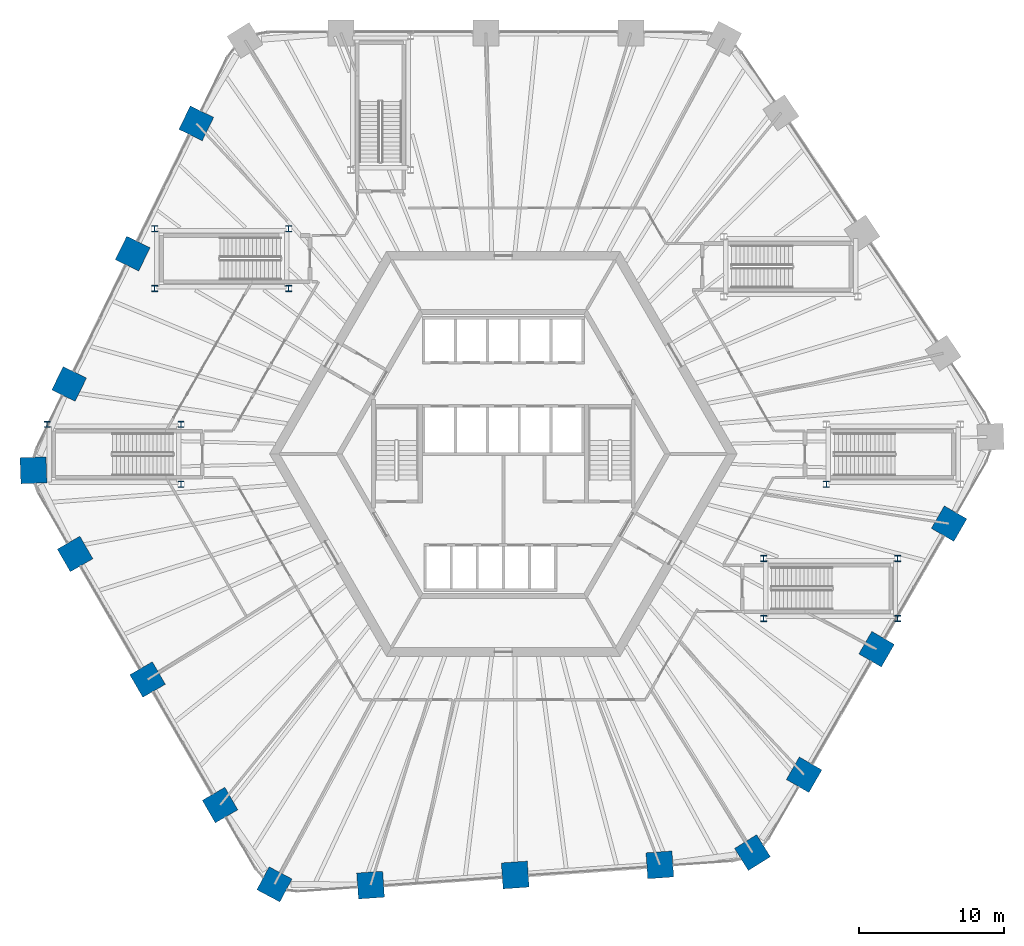
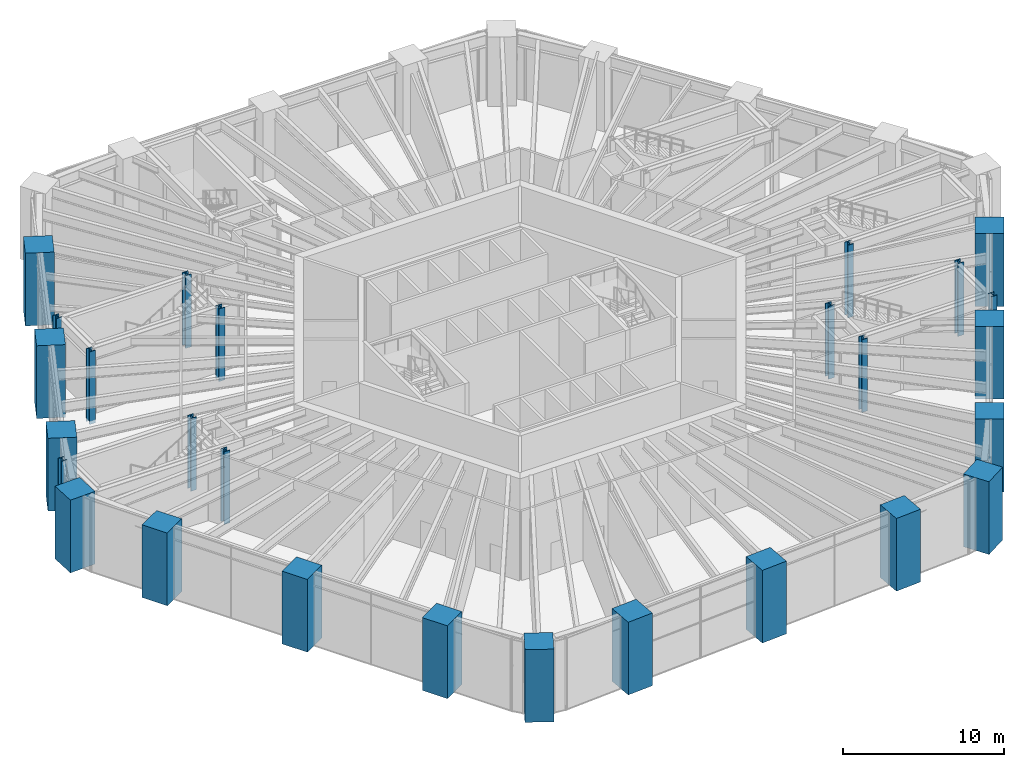
# One storey, part 1 of 30: 27 columns.
"""IFC4 building model written with IfcOpenShell, lengths in metres."""

from ifc_helpers import new_model, si_unit, direction, frame, origin, origin_2d, place, context, subcontext, project, spatial, rectangle, i_section, extrude, material, material_profile, profile_set, type_object, element, save


model = new_model("IFC4")

# Units and contexts
model_context = context("Model", 3, precision=1e-05, world=origin(), true_north=direction((0.0, 1.0)))
body_context = subcontext(model_context, "Body", "Model", "MODEL_VIEW")
ifc_project = project(units=[si_unit("LENGTHUNIT", "METRE"), si_unit("AREAUNIT", "SQUARE_METRE"), si_unit("VOLUMEUNIT", "CUBIC_METRE"), si_unit("PLANEANGLEUNIT", "RADIAN"), si_unit("MASSUNIT", "GRAM", prefix="KILO")], contexts=[model_context])

# Site, building, storey
site_placement = place(None, origin())
site = spatial("IfcSite", under=ifc_project, at=site_placement, CompositionType="ELEMENT")
building_placement = place(site_placement, origin())
building = spatial("IfcBuilding", under=site, at=building_placement, Name="Tarnside Tower", CompositionType="ELEMENT")
storey_placement = place(building_placement, frame((0.0, 0.0, 15.0)))
storey = spatial("IfcBuildingStorey", under=building, at=storey_placement, Name="L02", CompositionType="ELEMENT", Elevation=15.0)

# Columns
ifc_material_1 = material(Name="Concrete C80/95", Category="concrete")
ifc_material_profile_1 = material_profile(ifc_material_1, rectangle(XDim=1.800048828125, YDim=1.800048828125, at=origin_2d()), Name="Mega column 1800x1800")
ifc_profile_set_1 = profile_set([ifc_material_profile_1], Name="Concrete C80/95")
column_type_1 = type_object("IfcColumnType", Name="Mega column 1800 C80/95", PredefinedType="COLUMN", material=ifc_profile_set_1)
for number, where, z_axis, x_axis, name in (
    (1, (-21.22998046875, 22.854248046875, -0.25), (0.0, 0.0, 1.0), (0.438371146789, 0.898794046299, 0.0), "Mega column M05"),
    (2, (-25.6240234375, 13.84521484375, -0.25), (0.0, 0.0, 1.0), (0.438371146789, 0.898794046299, 0.0), "Mega column M06"),
    (3, (-30.01806640625, 4.8359375, -0.25), (0.0, 0.0, 1.0), (0.438371146789, 0.898794046299, 0.0), "Mega column M07"),
    (4, (-32.486083984375, -1.134521484375, -0.25), (0.0, 0.0, 1.0), (-0.034899496703, 0.999390827019, 0.0), "Mega column M08"),
    (5, (-29.607666015625, -6.918212890625, -0.25), (0.0, 0.0, 1.0), (-0.5, 0.866025403784, 0.0), "Mega column M09"),
    (6, (-24.595703125, -15.598876953125, -0.25), (0.0, 0.0, 1.0), (-0.5, 0.866025403784, 0.0), "Mega column M10"),
    (7, (-19.583984375, -24.279541015625, -0.25), (0.0, 0.0, 1.0), (-0.5, 0.866025403784, 0.0), "Mega column M11"),
    (8, (-15.823486328125, -29.759765625, -0.25), (0.0, 0.0, 1.0), (-0.882947592859, 0.469471562786, 0.0), "Mega column M12"),
    (9, (-9.177490234375, -29.812744140625, -0.25), (0.0, 0.0, 1.0), (-0.99756405026, -0.069756473744, 0.0), "Mega column M13"),
    (10, (0.82177734375, -29.113525390625, -0.25), (0.0, 0.0, 1.0), (-0.99756405026, -0.069756473744, 0.0), "Mega column M14"),
    (11, (10.821044921875, -28.414306640625, -0.25), (0.0, 0.0, 1.0), (-0.99756405026, -0.069756473744, 0.0), "Mega column M15"),
    (12, (17.225341796875, -27.56640625, -0.25), (0.0, 0.0, 1.0), (-0.848048096156, -0.529919264233, 0.0), "Mega column M16"),
    (13, (20.794921875, -22.181884765625, -0.25), (0.0, 0.0, 1.0), (-0.5, -0.866025403784, 0.0), "Mega column M17"),
    (14, (25.806884765625, -13.501220703125, -0.25), (0.0, 0.0, 1.0), (-0.5, -0.866025403784, 0.0), "Mega column M18"),
    (15, (30.818603515625, -4.8203125, -0.25), (0.0, 0.0, 1.0), (-0.5, -0.866025403784, 0.0), "Mega column M19"),
):
    element("IfcColumn", number, at=place(storey_placement, frame(where, z_axis=z_axis, x_axis=x_axis)), inside=storey, type_object=column_type_1, Name=name, PredefinedType="COLUMN", context=body_context, shape_type="SweptSolid", body=[
        extrude(rectangle(XDim=1.800048828125, YDim=1.800048828125, at=origin_2d()), origin(), (0.0, 0.0, 1.0), 5.5),
    ])
ifc_material_2 = material(Name="Steel S460", Category="steel")
ifc_material_profile_2 = material_profile(ifc_material_2, i_section(OverallWidth=0.412109375, OverallDepth=0.4365234375, WebThickness=0.035888671875, FlangeThickness=0.05810546875, FilletRadius=0.01513671875, at=origin_2d()), Name="UC 356x406x467")
ifc_profile_set_2 = profile_set([ifc_material_profile_2], Name="Steel S460")
column_type_2 = type_object("IfcColumnType", Name="Steel column UC 356x406x467", PredefinedType="COLUMN", material=ifc_profile_set_2)
for number, where, z_axis, x_axis, name in (
    (16, (-31.54541015625, 2.04541015625, -0.25), (0.0, 0.0, 1.0), (1.0, 0.0, 0.0), "Trimmer column V02.02"),
    (17, (-22.28466796875, 2.04541015625, -0.25), (0.0, 0.0, 1.0), (1.0, 0.0, 0.0), "Trimmer column V02.03"),
    (18, (-22.28466796875, -2.09521484375, -0.25), (0.0, 0.0, 1.0), (1.0, 0.0, 0.0), "Trimmer column V02.04"),
    (19, (22.334716796875, -2.09521484375, -0.25), (0.0, 0.0, 1.0), (1.0, 0.0, 0.0), "Trimmer column V03.03"),
    (20, (27.25537109375, -7.229736328125, -0.25), (0.0, 0.0, 1.0), (1.0, 0.0, 0.0), "Trimmer column V05.01"),
    (21, (27.25537109375, -11.370361328125, -0.25), (0.0, 0.0, 1.0), (1.0, 0.0, 0.0), "Trimmer column V05.02"),
    (22, (17.99462890625, -11.370361328125, -0.25), (0.0, 0.0, 1.0), (1.0, 0.0, 0.0), "Trimmer column V05.03"),
    (23, (17.99462890625, -7.229736328125, -0.25), (0.0, 0.0, 1.0), (1.0, 0.0, 0.0), "Trimmer column V05.04"),
    (24, (-24.105224609375, 11.4296875, -0.25), (0.0, 0.0, 1.0), (1.0, 0.0, 0.0), "Trimmer column V06.01"),
    (25, (-24.105224609375, 15.5703125, -0.25), (0.0, 0.0, 1.0), (1.0, 0.0, 0.0), "Trimmer column V06.02"),
    (26, (-14.8447265625, 15.5703125, -0.25), (0.0, 0.0, 1.0), (1.0, 0.0, 0.0), "Trimmer column V06.03"),
    (27, (-14.8447265625, 11.4296875, -0.25), (0.0, 0.0, 1.0), (1.0, 0.0, 0.0), "Trimmer column V06.04"),
):
    element("IfcColumn", number, at=place(storey_placement, frame(where, z_axis=z_axis, x_axis=x_axis)), inside=storey, type_object=column_type_2, Name=name, PredefinedType="COLUMN", context=body_context, shape_type="SweptSolid", body=[
        extrude(i_section(OverallWidth=0.412109375, OverallDepth=0.4365234375, WebThickness=0.035888671875, FlangeThickness=0.05810546875, FilletRadius=0.01513671875, at=origin_2d()), origin(), (0.0, 0.0, 1.0), 5.5),
    ])

save(model, "model.ifc")
